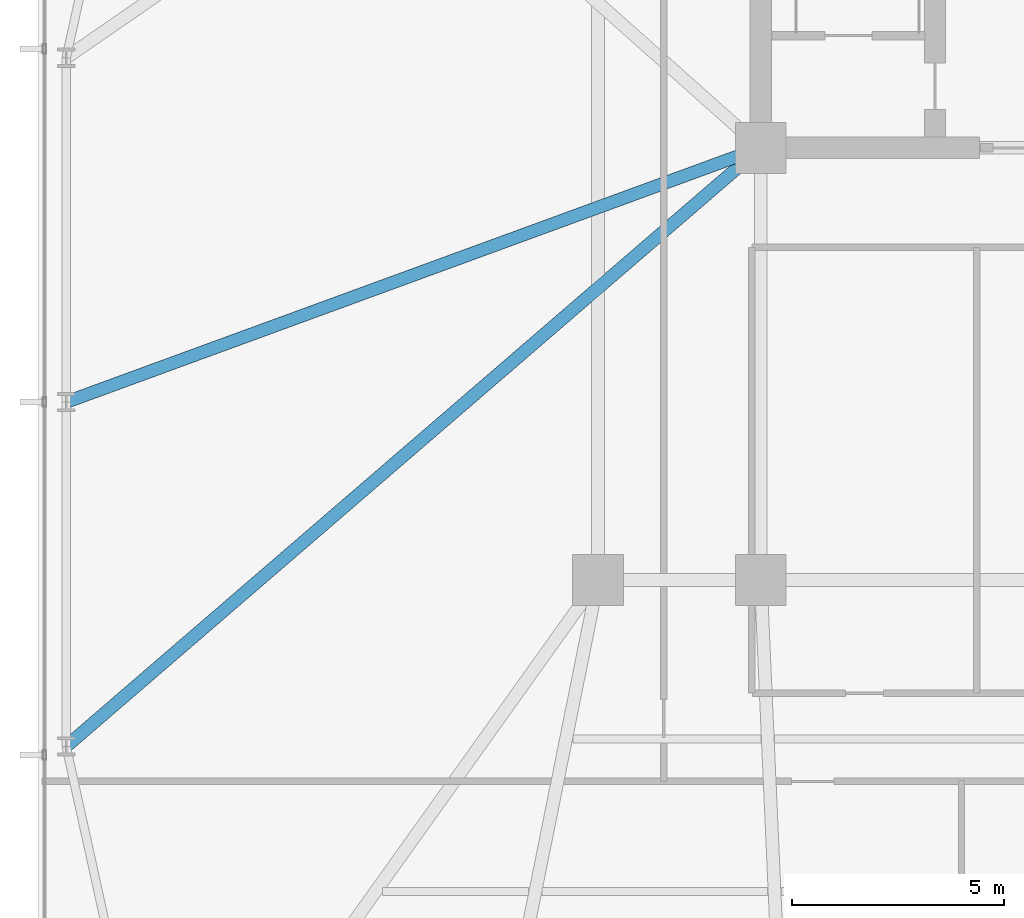
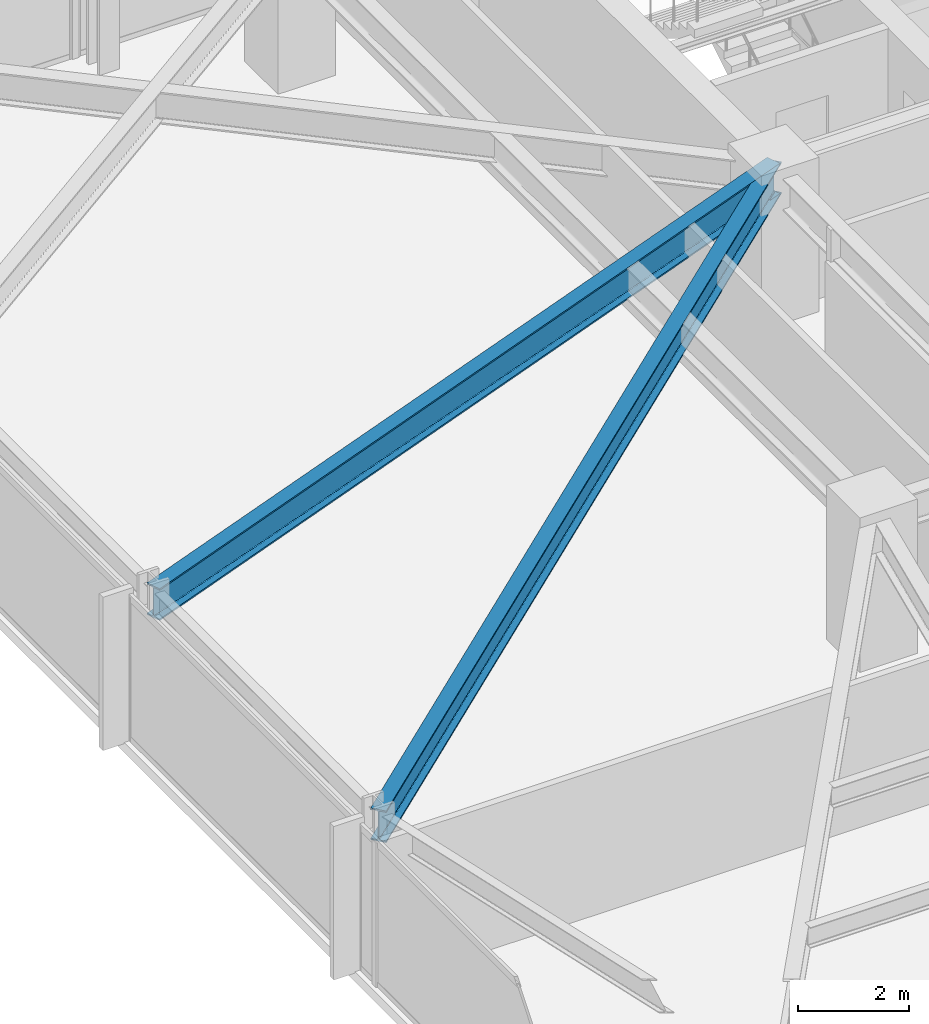
# One storey, part 8 of 33: 2 beams.
"""IFC4 building model written with IfcOpenShell, lengths in metres."""

from ifc_helpers import new_model, si_unit, direction, frame, origin, origin_2d, place, context, subcontext, project, spatial, i_section, extrude, material, material_profile, profile_set, type_object, element, save


model = new_model("IFC4")

# Units and contexts
model_context = context("Model", 3, precision=1e-05, world=origin(), true_north=direction((0.0, 1.0)))
body_context = subcontext(model_context, "Body", "Model", "MODEL_VIEW")
ifc_project = project(units=[si_unit("LENGTHUNIT", "METRE"), si_unit("AREAUNIT", "SQUARE_METRE"), si_unit("VOLUMEUNIT", "CUBIC_METRE"), si_unit("PLANEANGLEUNIT", "RADIAN"), si_unit("MASSUNIT", "GRAM", prefix="KILO")], contexts=[model_context])

# Site, building, storey
site_placement = place(None, origin())
site = spatial("IfcSite", under=ifc_project, at=site_placement, CompositionType="ELEMENT")
building_placement = place(site_placement, origin())
building = spatial("IfcBuilding", under=site, at=building_placement, Name="Yelkora Congress Tower", CompositionType="ELEMENT")
storey_placement = place(building_placement, frame((0.0, 0.0, 71.199951171875)))
storey = spatial("IfcBuildingStorey", under=building, at=storey_placement, Name="L18", CompositionType="ELEMENT", Elevation=71.199951171875)

# Beams
ifc_material = material(Name="Steel S355J2", Category="steel")
ifc_material_profile = material_profile(ifc_material, i_section(OverallWidth=0.300048828125, OverallDepth=0.699951171875, WebThickness=0.01708984375, FlangeThickness=0.031982421875, FilletRadius=0.027099609375, at=origin_2d()), Name="HEB 700")
ifc_profile_set = profile_set([ifc_material_profile], Name="Steel S355J2")
beam_type = type_object("IfcBeamType", Name="BM-GIRD-HEB700", PredefinedType="BEAM", material=ifc_profile_set)
beam_1_placement = place(storey_placement, frame((6.64990234375, 21.27490234375, 2.830078125), z_axis=(0.757511165967, 0.652822206604, 0.0), x_axis=(-0.652822206604, 0.757511165967, 0.0)))
element("IfcBeam", 1, at=beam_1_placement, inside=storey, type_object=beam_type, Name="L18 Primary Frame Girder W01", PredefinedType="BEAM", context=body_context, shape_type="SweptSolid", body=[
    extrude(i_section(OverallWidth=0.300048828125, OverallDepth=0.699951171875, WebThickness=0.01708984375, FlangeThickness=0.031982421875, FilletRadius=0.027099609375, at=origin_2d()), origin(), (0.0, 0.0, 1.0), 21.63671875),
])
beam_2_placement = place(storey_placement, frame((6.64990234375, 29.39990234375, 2.830078125), z_axis=(0.939056124561, 0.343763865064, 0.0), x_axis=(-0.343763865064, 0.939056124561, 0.0)))
element("IfcBeam", 2, at=beam_2_placement, inside=storey, type_object=beam_type, Name="L18 Primary Frame Girder W02", PredefinedType="BEAM", context=body_context, shape_type="SweptSolid", body=[
    extrude(i_section(OverallWidth=0.300048828125, OverallDepth=0.699951171875, WebThickness=0.01708984375, FlangeThickness=0.031982421875, FilletRadius=0.027099609375, at=origin_2d()), origin(), (0.0, 0.0, 1.0), 17.453857421875),
])

save(model, "model.ifc")
